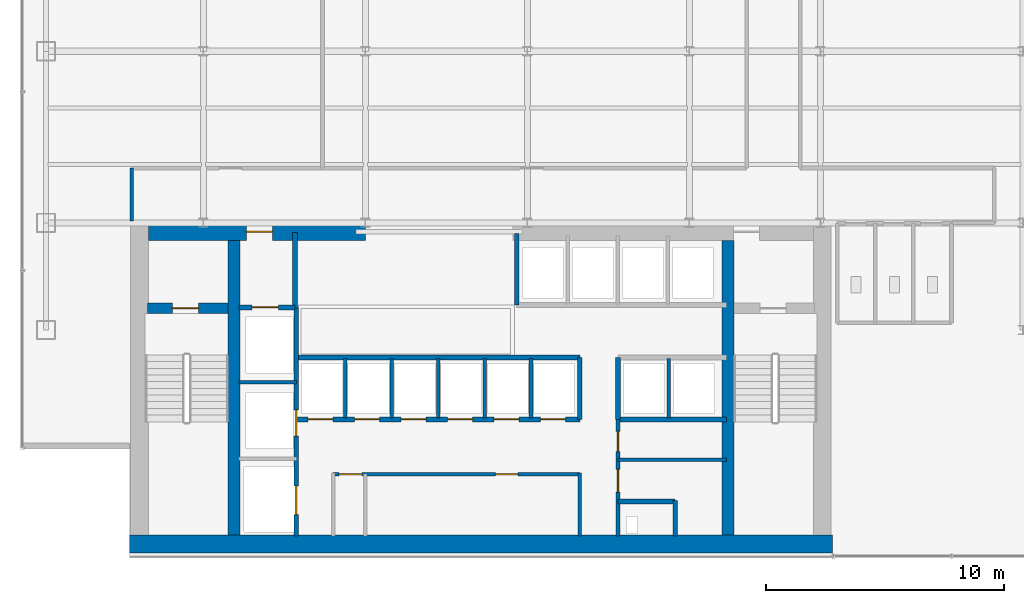
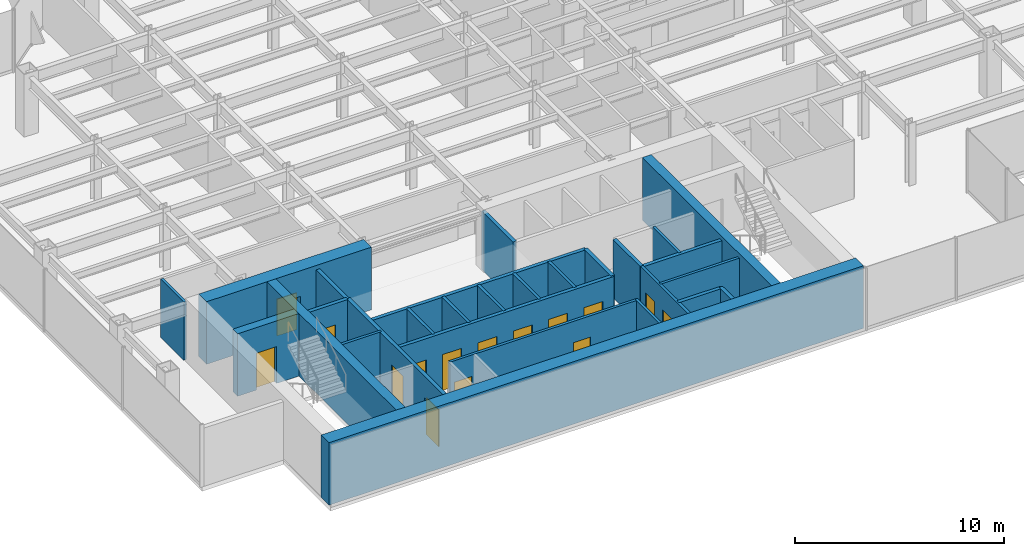
# One storey, part 21 of 26: 28 walls, 15 doors, 15 openings.
"""IFC4 building model written with IfcOpenShell, lengths in metres."""

from ifc_helpers import new_model, si_unit, derived_unit, direction, frame, frame_2d, origin, place, context, subcontext, project, spatial, rectangle, extrude, source, transform, mapped, material, layer, layer_set, type_object, element, fill, save


model = new_model("IFC4")

# Units and contexts
model_context = context("Model", 3, precision=1e-05, world=origin(), true_north=direction((0.0, 1.0)))
body_context = subcontext(model_context, "Body", "Model", "MODEL_VIEW")
ifc_project = project(units=[si_unit("LENGTHUNIT", "METRE"), si_unit("AREAUNIT", "SQUARE_METRE"), si_unit("VOLUMEUNIT", "CUBIC_METRE"), si_unit("PLANEANGLEUNIT", "RADIAN"), si_unit("MASSUNIT", "GRAM", prefix="KILO"), derived_unit("THERMALTRANSMITTANCEUNIT", [(si_unit("POWERUNIT", "WATT"), 1), (si_unit("LENGTHUNIT", "METRE"), -2), (si_unit("THERMODYNAMICTEMPERATUREUNIT", "KELVIN"), -1)])], contexts=[model_context])

# Site, building, storey
site_placement = place(None, origin())
site = spatial("IfcSite", under=ifc_project, at=site_placement, CompositionType="ELEMENT")
building_placement = place(site_placement, origin())
building = spatial("IfcBuilding", under=site, at=building_placement, Name="Skarnbrae Concourse Arena and Tower", CompositionType="ELEMENT")
storey_placement = place(building_placement, frame((0.0, 0.0, 117.85009765625)))
storey = spatial("IfcBuildingStorey", under=building, at=storey_placement, Name="L29", CompositionType="ELEMENT", Elevation=117.85009765625)

# Wall, opening, door
ifc_material_1 = material(Name="Concrete 50 MPa (C50/60)", Category="concrete")
ifc_layer_1 = layer(ifc_material_1, 0.449951171875)
ifc_layer_set_1 = layer_set([ifc_layer_1], Name="Concrete 50 MPa (C50/60)")
wall_type_1 = type_object("IfcWallType", Name="WALL-CORE-450-C50", PredefinedType="SHEAR", material=ifc_layer_set_1)
shared_shape_1 = source(origin(), body_context, "Body", "SweptSolid", [
    extrude(rectangle(XDim=3.389892578125, YDim=0.449951171875, at=frame_2d((1.69482421875, 0.0))), origin(), (0.0, 0.0, 1.0), 3.64990234375),
])
wall_1_placement = place(storey_placement, frame((5.25, 10.419921875, 0.0), z_axis=(0.0, 0.0, 1.0), x_axis=(1.0, 0.0, 0.0)))
wall_1 = element("IfcWall", 1, at=wall_1_placement, inside=storey, type_object=wall_type_1, Name="L29 Rear core shear wall CW-ST1-N", PredefinedType="SHEAR", context=body_context, shape_type="MappedRepresentation", body=[
    mapped(shared_shape_1, transform((0.0, 0.0, 0.0))),
])
opening_1_placement = place(wall_1_placement, frame((1.050048828125, 0.0, 0.0)))
opening_1 = element("IfcOpeningElement", 2, at=opening_1_placement, cuts=wall_1, Name="Opening DT-03", PredefinedType="OPENING", context=body_context, shape_type="SweptSolid", body=[
    extrude(rectangle(XDim=1.10009765625, YDim=2.14990234375, at=frame_2d((0.550048828125, 1.074951171875))), frame((0.0, 0.23486328125, 0.0), z_axis=(0.0, -1.0, 0.0), x_axis=(1.0, 0.0, 0.0)), (0.0, 0.0, 1.0), 0.469970703125),
])
ifc_material_2 = material(Name="Steel CSA G40.21 350W", Category="steel")
door_type_1 = type_object("IfcDoorType", Name="DOOR-FIRE-1100-90M", OperationType="NOTDEFINED", PredefinedType="DOOR", material=ifc_material_2)
shared_shape_2 = source(origin(), body_context, "Body", "SweptSolid", [
    extrude(rectangle(XDim=1.10009765625, YDim=2.14990234375, at=frame_2d((0.550048828125, 1.074951171875))), frame((0.0, 0.02490234375, 0.0), z_axis=(0.0, -1.0, 0.0), x_axis=(1.0, 0.0, 0.0)), (0.0, 0.0, 1.0), 0.050048828125),
])
door_1_placement = place(opening_1_placement, frame((1.10009765625, 0.0, 0.0), z_axis=(0.0, 0.0, 1.0), x_axis=(-1.0, 0.0, 0.0)))
door_1 = element("IfcDoor", 3, at=door_1_placement, inside=storey, type_object=door_type_1, Name="D-0947 Stair ST-1 Door", OperationType="SINGLE_SWING_LEFT", OverallHeight=2.14990234375, OverallWidth=1.10009765625, PredefinedType="DOOR", context=body_context, shape_type="MappedRepresentation", body=[
    mapped(shared_shape_2, transform((0.0, 0.0, 0.0))),
])
fill(opening_1, door_1)

# Wall
ifc_material_3 = material(Name="Concrete 60 MPa (C60/75)", Category="concrete")
ifc_layer_2 = layer(ifc_material_3, 0.75)
ifc_layer_set_2 = layer_set([ifc_layer_2], Name="Concrete 60 MPa (C60/75)")
wall_type_2 = type_object("IfcWallType", Name="WALL-CORE-750-C60", PredefinedType="SHEAR", material=ifc_layer_set_2)
shared_shape_3 = source(origin(), body_context, "Body", "SweptSolid", [
    extrude(rectangle(XDim=29.5, YDim=0.75, at=frame_2d((14.75, 0.0))), origin(), (0.0, 0.0, 1.0), 3.64990234375),
])
wall_2_placement = place(storey_placement, frame((4.5, 0.52490234375, 0.0), z_axis=(0.0, 0.0, 1.0), x_axis=(1.0, 0.0, 0.0)))
element("IfcWall", 4, at=wall_2_placement, inside=storey, type_object=wall_type_2, Name="L29 Rear core shear wall CW-S", PredefinedType="SHEAR", context=body_context, shape_type="MappedRepresentation", body=[
    mapped(shared_shape_3, transform((0.0, 0.0, 0.0))),
])

# Wall, opening, door
shared_shape_4 = source(origin(), body_context, "Body", "SweptSolid", [
    extrude(rectangle(XDim=9.099853515625, YDim=0.75, at=frame_2d((4.5498046875, 0.0))), origin(), (0.0, 0.0, 1.0), 3.64990234375),
])
wall_3_placement = place(storey_placement, frame((5.300048828125, 13.625, 0.0), z_axis=(0.0, 0.0, 1.0), x_axis=(1.0, 0.0, 0.0)))
wall_3 = element("IfcWall", 5, at=wall_3_placement, inside=storey, type_object=wall_type_2, Name="L29 Rear core shear wall CW-NW", PredefinedType="SHEAR", context=body_context, shape_type="MappedRepresentation", body=[
    mapped(shared_shape_4, transform((0.0, 0.0, 0.0))),
])
opening_2_placement = place(wall_3_placement, frame((4.10009765625, 0.0, 0.0)))
opening_2 = element("IfcOpeningElement", 6, at=opening_2_placement, cuts=wall_3, Name="Opening DT-03", PredefinedType="OPENING", context=body_context, shape_type="SweptSolid", body=[
    extrude(rectangle(XDim=1.10009765625, YDim=2.14990234375, at=frame_2d((0.550048828125, 1.074951171875))), frame((0.0, 0.385009765625, 0.0), z_axis=(0.0, -1.0, 0.0), x_axis=(1.0, 0.0, 0.0)), (0.0, 0.0, 1.0), 0.77001953125),
])
door_2_placement = place(opening_2_placement, origin())
door_2 = element("IfcDoor", 7, at=door_2_placement, inside=storey, type_object=door_type_1, Name="D-0949 Firefighting Lobby Exit Door", OperationType="SINGLE_SWING_RIGHT", OverallHeight=2.14990234375, OverallWidth=1.10009765625, PredefinedType="DOOR", context=body_context, shape_type="MappedRepresentation", body=[
    mapped(shared_shape_2, transform((0.0, 0.0, 0.0))),
])
fill(opening_2, door_2)

# Walls
ifc_layer_3 = layer(ifc_material_3, 0.5)
ifc_layer_set_3 = layer_set([ifc_layer_3], Name="Concrete 60 MPa (C60/75)")
wall_type_3 = type_object("IfcWallType", Name="WALL-CORE-500-C60", PredefinedType="SHEAR", material=ifc_layer_set_3)
shared_shape_5 = source(origin(), body_context, "Body", "SweptSolid", [
    extrude(rectangle(XDim=12.35009765625, YDim=0.5, at=frame_2d((6.175048828125, 0.0))), origin(), (0.0, 0.0, 1.0), 3.64990234375),
])
for number, where, z_axis, x_axis, name in (
    (8, (8.889892578125, 0.89990234375, 0.0), (0.0, 0.0, 1.0), (0.0, 1.0, 0.0), "L29 Rear core shear wall CW-WEB-W"),
    (9, (29.610107421875, 0.89990234375, 0.0), (0.0, 0.0, 1.0), (0.0, 1.0, 0.0), "L29 Rear core shear wall CW-WEB-E"),
):
    element("IfcWall", number, at=place(storey_placement, frame(where, z_axis=z_axis, x_axis=x_axis)), inside=storey, type_object=wall_type_3, Name=name, PredefinedType="SHEAR", context=body_context, shape_type="MappedRepresentation", body=[
        mapped(shared_shape_5, transform((0.0, 0.0, 0.0))),
    ])
ifc_material_4 = material(Name="Gypsum board on cold-formed steel studs", Category="steel")
ifc_layer_4 = layer(ifc_material_4, 0.199951171875)
ifc_layer_set_4 = layer_set([ifc_layer_4], Name="Gypsum board on cold-formed steel studs")
wall_type_4 = type_object("IfcWallType", Name="WALL-PART-200-2HR", PredefinedType="PARTITIONING", material=ifc_layer_set_4)
shared_shape_6 = source(origin(), body_context, "Body", "SweptSolid", [
    extrude(rectangle(XDim=3.18017578125, YDim=0.199951171875, at=frame_2d((1.590087890625, 0.0))), origin(), (0.0, 0.0, 1.0), 3.39990234375),
])
wall_4_placement = place(storey_placement, frame((11.449951171875, 10.419921875, 0.0), z_axis=(0.0, 0.0, 1.0), x_axis=(0.0, 1.0, 0.0)))
element("IfcWall", 10, at=wall_4_placement, inside=storey, type_object=wall_type_4, Name="L29 Interior partition wall W-L29-FFL-E", PredefinedType="PARTITIONING", context=body_context, shape_type="MappedRepresentation", body=[
    mapped(shared_shape_6, transform((0.0, 0.0, 0.0))),
])

# Wall, opening, door
shared_shape_7 = source(origin(), body_context, "Body", "SweptSolid", [
    extrude(rectangle(XDim=2.349853515625, YDim=0.199951171875, at=frame_2d((1.1748046875, 0.0))), origin(), (0.0, 0.0, 1.0), 3.39990234375),
])
wall_5_placement = place(storey_placement, frame((9.10009765625, 10.449951171875, 0.0), z_axis=(0.0, 0.0, 1.0), x_axis=(1.0, 0.0, 0.0)))
wall_5 = element("IfcWall", 11, at=wall_5_placement, inside=storey, type_object=wall_type_4, Name="L29 Interior partition wall W-L29-FL1-N", PredefinedType="PARTITIONING", context=body_context, shape_type="MappedRepresentation", body=[
    mapped(shared_shape_7, transform((0.0, 0.0, 0.0))),
])
opening_3_placement = place(wall_5_placement, frame((0.550048828125, 0.0, 0.0)))
opening_3 = element("IfcOpeningElement", 12, at=opening_3_placement, cuts=wall_5, Name="Opening LD-01", PredefinedType="OPENING", context=body_context, shape_type="SweptSolid", body=[
    extrude(rectangle(XDim=1.10009765625, YDim=2.14990234375, at=frame_2d((0.550048828125, 1.074951171875))), frame((0.0, 0.10986328125, 0.0), z_axis=(0.0, -1.0, 0.0), x_axis=(1.0, 0.0, 0.0)), (0.0, 0.0, 1.0), 0.219970703125),
])
door_type_2 = type_object("IfcDoorType", Name="DOOR-LIFT-SLIDE-1100", OperationType="SLIDING_TO_LEFT", PredefinedType="DOOR", material=ifc_material_2)
door_3_placement = place(opening_3_placement, origin())
door_3 = element("IfcDoor", 13, at=door_3_placement, inside=storey, type_object=door_type_2, Name="D-0951 Firefighting Lift Landing Door FL-01", OperationType="SLIDING_TO_LEFT", OverallHeight=2.14990234375, OverallWidth=1.10009765625, PredefinedType="DOOR", context=body_context, shape_type="MappedRepresentation", body=[
    mapped(shared_shape_2, transform((0.0, 0.0, 0.0))),
])
fill(opening_3, door_3)

# Wall, openings, doors
shared_shape_8 = source(origin(), body_context, "Body", "SweptSolid", [
    extrude(rectangle(XDim=9.599853515625, YDim=0.199951171875, at=frame_2d((4.7998046875, 0.0))), origin(), (0.0, 0.0, 1.0), 3.39990234375),
])
wall_6_placement = place(storey_placement, frame((11.5, 0.85009765625, 0.0), z_axis=(0.0, 0.0, 1.0), x_axis=(0.0, 1.0, 0.0)))
wall_6 = element("IfcWall", 14, at=wall_6_placement, inside=storey, type_object=wall_type_4, Name="L29 Interior partition wall W-L29-FL-E", PredefinedType="PARTITIONING", context=body_context, shape_type="MappedRepresentation", body=[
    mapped(shared_shape_8, transform((0.0, 0.0, 0.0))),
])
opening_4_placement = place(wall_6_placement, frame((4.199951171875, 0.0, 0.0)))
opening_4 = element("IfcOpeningElement", 15, at=opening_4_placement, cuts=wall_6, Name="Opening LD-01", PredefinedType="OPENING", context=body_context, shape_type="SweptSolid", body=[
    extrude(rectangle(XDim=1.10009765625, YDim=2.14990234375, at=frame_2d((0.550048828125, 1.074951171875))), frame((0.0, 0.10986328125, 0.0), z_axis=(0.0, -1.0, 0.0), x_axis=(1.0, 0.0, 0.0)), (0.0, 0.0, 1.0), 0.219970703125),
])
opening_5_placement = place(wall_6_placement, frame((0.89990234375, 0.0, 0.0)))
opening_5 = element("IfcOpeningElement", 16, at=opening_5_placement, cuts=wall_6, Name="Opening LD-02", PredefinedType="OPENING", context=body_context, shape_type="SweptSolid", body=[
    extrude(rectangle(XDim=1.199951171875, YDim=2.14990234375, at=frame_2d((0.60009765625, 1.074951171875))), frame((0.0, 0.10986328125, 0.0), z_axis=(0.0, -1.0, 0.0), x_axis=(1.0, 0.0, 0.0)), (0.0, 0.0, 1.0), 0.219970703125),
])
door_4_placement = place(opening_4_placement, frame((1.10009765625, 0.0, 0.0), z_axis=(0.0, 0.0, 1.0), x_axis=(-1.0, 0.0, 0.0)))
door_4 = element("IfcDoor", 17, at=door_4_placement, inside=storey, type_object=door_type_2, Name="D-0952 Firefighting Lift Landing Door FL-02", OperationType="SLIDING_TO_LEFT", OverallHeight=2.14990234375, OverallWidth=1.10009765625, PredefinedType="DOOR", context=body_context, shape_type="MappedRepresentation", body=[
    mapped(shared_shape_2, transform((0.0, 0.0, 0.0))),
])
fill(opening_4, door_4)
door_type_3 = type_object("IfcDoorType", Name="DOOR-LIFT-SLIDE-1200", OperationType="SLIDING_TO_LEFT", PredefinedType="DOOR", material=ifc_material_2)
shared_shape_9 = source(origin(), body_context, "Body", "SweptSolid", [
    extrude(rectangle(XDim=1.199951171875, YDim=2.14990234375, at=frame_2d((0.60009765625, 1.074951171875))), frame((0.0, 0.02490234375, 0.0), z_axis=(0.0, -1.0, 0.0), x_axis=(1.0, 0.0, 0.0)), (0.0, 0.0, 1.0), 0.050048828125),
])
door_5_placement = place(opening_5_placement, frame((1.199951171875, 0.0, 0.0), z_axis=(0.0, 0.0, 1.0), x_axis=(-1.0, 0.0, 0.0)))
door_5 = element("IfcDoor", 18, at=door_5_placement, inside=storey, type_object=door_type_3, Name="D-0953 Service Lift Landing Door SV-01", OperationType="SLIDING_TO_LEFT", OverallHeight=2.14990234375, OverallWidth=1.199951171875, PredefinedType="DOOR", context=body_context, shape_type="MappedRepresentation", body=[
    mapped(shared_shape_9, transform((0.0, 0.0, 0.0))),
])
fill(opening_5, door_5)

# Wall
ifc_layer_5 = layer(ifc_material_4, 0.14990234375)
ifc_layer_set_5 = layer_set([ifc_layer_5], Name="Gypsum board on cold-formed steel studs")
wall_type_5 = type_object("IfcWallType", Name="WALL-PART-150", PredefinedType="PARTITIONING", material=ifc_layer_set_5)
shared_shape_10 = source(origin(), body_context, "Body", "SweptSolid", [
    extrude(rectangle(XDim=2.39990234375, YDim=0.14990234375, at=frame_2d((1.199951171875, 0.0))), origin(), (0.0, 0.0, 1.0), 3.39990234375),
])
wall_7_placement = place(storey_placement, frame((9.10009765625, 7.300048828125, 0.0), z_axis=(0.0, 0.0, 1.0), x_axis=(1.0, 0.0, 0.0)))
element("IfcWall", 19, at=wall_7_placement, inside=storey, type_object=wall_type_5, Name="L29 Interior partition wall W-L29-FL-D2", PredefinedType="PARTITIONING", context=body_context, shape_type="MappedRepresentation", body=[
    mapped(shared_shape_10, transform((0.0, 0.0, 0.0))),
])

# Wall, openings, doors
shared_shape_11 = source(origin(), body_context, "Body", "SweptSolid", [
    extrude(rectangle(XDim=11.849853515625, YDim=0.199951171875, at=frame_2d((5.9248046875, 0.0))), origin(), (0.0, 0.0, 1.0), 3.39990234375),
])
wall_8_placement = place(storey_placement, frame((11.550048828125, 5.75, 0.0), z_axis=(0.0, 0.0, 1.0), x_axis=(1.0, 0.0, 0.0)))
wall_8 = element("IfcWall", 20, at=wall_8_placement, inside=storey, type_object=wall_type_4, Name="L29 Interior partition wall W-L29-B2-S", PredefinedType="PARTITIONING", context=body_context, shape_type="MappedRepresentation", body=[
    mapped(shared_shape_11, transform((0.0, 0.0, 0.0))),
])
opening_6_placement = place(wall_8_placement, frame((0.449951171875, 0.0, 0.0)))
opening_6 = element("IfcOpeningElement", 21, at=opening_6_placement, cuts=wall_8, Name="Opening LD-03", PredefinedType="OPENING", context=body_context, shape_type="SweptSolid", body=[
    extrude(rectangle(XDim=1.050048828125, YDim=2.14990234375, at=frame_2d((0.52490234375, 1.074951171875))), frame((0.0, 0.10986328125, 0.0), z_axis=(0.0, -1.0, 0.0), x_axis=(1.0, 0.0, 0.0)), (0.0, 0.0, 1.0), 0.219970703125),
])
opening_7_placement = place(wall_8_placement, frame((2.39990234375, 0.0, 0.0)))
opening_7 = element("IfcOpeningElement", 22, at=opening_7_placement, cuts=wall_8, Name="Opening LD-03", PredefinedType="OPENING", context=body_context, shape_type="SweptSolid", body=[
    extrude(rectangle(XDim=1.050048828125, YDim=2.14990234375, at=frame_2d((0.52490234375, 1.074951171875))), frame((0.0, 0.10986328125, 0.0), z_axis=(0.0, -1.0, 0.0), x_axis=(1.0, 0.0, 0.0)), (0.0, 0.0, 1.0), 0.219970703125),
])
opening_8_placement = place(wall_8_placement, frame((4.35009765625, 0.0, 0.0)))
opening_8 = element("IfcOpeningElement", 23, at=opening_8_placement, cuts=wall_8, Name="Opening LD-03", PredefinedType="OPENING", context=body_context, shape_type="SweptSolid", body=[
    extrude(rectangle(XDim=1.050048828125, YDim=2.14990234375, at=frame_2d((0.52490234375, 1.074951171875))), frame((0.0, 0.10986328125, 0.0), z_axis=(0.0, -1.0, 0.0), x_axis=(1.0, 0.0, 0.0)), (0.0, 0.0, 1.0), 0.219970703125),
])
opening_9_placement = place(wall_8_placement, frame((6.300048828125, 0.0, 0.0)))
opening_9 = element("IfcOpeningElement", 24, at=opening_9_placement, cuts=wall_8, Name="Opening LD-03", PredefinedType="OPENING", context=body_context, shape_type="SweptSolid", body=[
    extrude(rectangle(XDim=1.050048828125, YDim=2.14990234375, at=frame_2d((0.52490234375, 1.074951171875))), frame((0.0, 0.10986328125, 0.0), z_axis=(0.0, -1.0, 0.0), x_axis=(1.0, 0.0, 0.0)), (0.0, 0.0, 1.0), 0.219970703125),
])
opening_10_placement = place(wall_8_placement, frame((8.25, 0.0, 0.0)))
opening_10 = element("IfcOpeningElement", 25, at=opening_10_placement, cuts=wall_8, Name="Opening LD-03", PredefinedType="OPENING", context=body_context, shape_type="SweptSolid", body=[
    extrude(rectangle(XDim=1.050048828125, YDim=2.14990234375, at=frame_2d((0.52490234375, 1.074951171875))), frame((0.0, 0.10986328125, 0.0), z_axis=(0.0, -1.0, 0.0), x_axis=(1.0, 0.0, 0.0)), (0.0, 0.0, 1.0), 0.219970703125),
])
opening_11_placement = place(wall_8_placement, frame((10.199951171875, 0.0, 0.0)))
opening_11 = element("IfcOpeningElement", 26, at=opening_11_placement, cuts=wall_8, Name="Opening LD-03", PredefinedType="OPENING", context=body_context, shape_type="SweptSolid", body=[
    extrude(rectangle(XDim=1.050048828125, YDim=2.14990234375, at=frame_2d((0.52490234375, 1.074951171875))), frame((0.0, 0.10986328125, 0.0), z_axis=(0.0, -1.0, 0.0), x_axis=(1.0, 0.0, 0.0)), (0.0, 0.0, 1.0), 0.219970703125),
])
ifc_material_5 = material(Name="Bronze anodised aluminium 6063-T6", Category="aluminium")
door_type_4 = type_object("IfcDoorType", Name="DOOR-LIFT-SLIDE-1050", OperationType="SLIDING_TO_LEFT", PredefinedType="DOOR", material=ifc_material_5)
shared_shape_12 = source(origin(), body_context, "Body", "SweptSolid", [
    extrude(rectangle(XDim=1.050048828125, YDim=2.14990234375, at=frame_2d((0.52490234375, 1.074951171875))), frame((0.0, 0.02490234375, 0.0), z_axis=(0.0, -1.0, 0.0), x_axis=(1.0, 0.0, 0.0)), (0.0, 0.0, 1.0), 0.050048828125),
])
door_6_placement = place(opening_6_placement, frame((1.050048828125, 0.0, 0.0), z_axis=(0.0, 0.0, 1.0), x_axis=(-1.0, 0.0, 0.0)))
door_6 = element("IfcDoor", 27, at=door_6_placement, inside=storey, type_object=door_type_4, Name="D-0956 Passenger Lift Landing Door PL-2A", OperationType="SLIDING_TO_LEFT", OverallHeight=2.14990234375, OverallWidth=1.050048828125, PredefinedType="DOOR", context=body_context, shape_type="MappedRepresentation", body=[
    mapped(shared_shape_12, transform((0.0, 0.0, 0.0))),
])
fill(opening_6, door_6)
door_7_placement = place(opening_7_placement, frame((1.050048828125, 0.0, 0.0), z_axis=(0.0, 0.0, 1.0), x_axis=(-1.0, 0.0, 0.0)))
door_7 = element("IfcDoor", 28, at=door_7_placement, inside=storey, type_object=door_type_4, Name="D-0957 Passenger Lift Landing Door PL-2B", OperationType="SLIDING_TO_LEFT", OverallHeight=2.14990234375, OverallWidth=1.050048828125, PredefinedType="DOOR", context=body_context, shape_type="MappedRepresentation", body=[
    mapped(shared_shape_12, transform((0.0, 0.0, 0.0))),
])
fill(opening_7, door_7)
door_8_placement = place(opening_8_placement, frame((1.050048828125, 0.0, 0.0), z_axis=(0.0, 0.0, 1.0), x_axis=(-1.0, 0.0, 0.0)))
door_8 = element("IfcDoor", 29, at=door_8_placement, inside=storey, type_object=door_type_4, Name="D-0958 Passenger Lift Landing Door PL-2C", OperationType="SLIDING_TO_LEFT", OverallHeight=2.14990234375, OverallWidth=1.050048828125, PredefinedType="DOOR", context=body_context, shape_type="MappedRepresentation", body=[
    mapped(shared_shape_12, transform((0.0, 0.0, 0.0))),
])
fill(opening_8, door_8)
door_9_placement = place(opening_9_placement, frame((1.050048828125, 0.0, 0.0), z_axis=(0.0, 0.0, 1.0), x_axis=(-1.0, 0.0, 0.0)))
door_9 = element("IfcDoor", 30, at=door_9_placement, inside=storey, type_object=door_type_4, Name="D-0959 Passenger Lift Landing Door PL-2D", OperationType="SLIDING_TO_LEFT", OverallHeight=2.14990234375, OverallWidth=1.050048828125, PredefinedType="DOOR", context=body_context, shape_type="MappedRepresentation", body=[
    mapped(shared_shape_12, transform((0.0, 0.0, 0.0))),
])
fill(opening_9, door_9)
door_10_placement = place(opening_10_placement, frame((1.050048828125, 0.0, 0.0), z_axis=(0.0, 0.0, 1.0), x_axis=(-1.0, 0.0, 0.0)))
door_10 = element("IfcDoor", 31, at=door_10_placement, inside=storey, type_object=door_type_4, Name="D-0960 Passenger Lift Landing Door PL-2E", OperationType="SLIDING_TO_LEFT", OverallHeight=2.14990234375, OverallWidth=1.050048828125, PredefinedType="DOOR", context=body_context, shape_type="MappedRepresentation", body=[
    mapped(shared_shape_12, transform((0.0, 0.0, 0.0))),
])
fill(opening_10, door_10)
door_11_placement = place(opening_11_placement, frame((1.050048828125, 0.0, 0.0), z_axis=(0.0, 0.0, 1.0), x_axis=(-1.0, 0.0, 0.0)))
door_11 = element("IfcDoor", 32, at=door_11_placement, inside=storey, type_object=door_type_4, Name="D-0961 Passenger Lift Landing Door PL-2F", OperationType="SLIDING_TO_LEFT", OverallHeight=2.14990234375, OverallWidth=1.050048828125, PredefinedType="DOOR", context=body_context, shape_type="MappedRepresentation", body=[
    mapped(shared_shape_12, transform((0.0, 0.0, 0.0))),
])
fill(opening_11, door_11)

# Walls
wall_9_placement = place(storey_placement, frame((11.550048828125, 8.35009765625, 0.0), z_axis=(0.0, 0.0, 1.0), x_axis=(1.0, 0.0, 0.0)))
element("IfcWall", 33, at=wall_9_placement, inside=storey, type_object=wall_type_4, Name="L29 Interior partition wall W-L29-B2-N", PredefinedType="PARTITIONING", context=body_context, shape_type="MappedRepresentation", body=[
    mapped(shared_shape_11, transform((0.0, 0.0, 0.0))),
])
shared_shape_13 = source(origin(), body_context, "Body", "SweptSolid", [
    extrude(rectangle(XDim=2.60009765625, YDim=0.199951171875, at=frame_2d((1.300048828125, 0.0))), origin(), (0.0, 0.0, 1.0), 3.39990234375),
])
for number, where, z_axis, x_axis, name in (
    (34, (23.39990234375, 5.75, 0.0), (0.0, 0.0, 1.0), (0.0, 1.0, 0.0), "L29 Interior partition wall W-L29-B2-E"),
    (35, (25.0, 5.75, 0.0), (0.0, 0.0, 1.0), (0.0, 1.0, 0.0), "L29 Interior partition wall W-L29-B3S-W"),
):
    element("IfcWall", number, at=place(storey_placement, frame(where, z_axis=z_axis, x_axis=x_axis)), inside=storey, type_object=wall_type_4, Name=name, PredefinedType="PARTITIONING", context=body_context, shape_type="MappedRepresentation", body=[
        mapped(shared_shape_13, transform((0.0, 0.0, 0.0))),
    ])
shared_shape_14 = source(origin(), body_context, "Body", "SweptSolid", [
    extrude(rectangle(XDim=2.5, YDim=0.14990234375, at=frame_2d((1.25, 0.0))), origin(), (0.0, 0.0, 1.0), 3.39990234375),
])
for number, where, z_axis, x_axis, name in (
    (36, (13.550048828125, 5.800048828125, 0.0), (0.0, 0.0, 1.0), (0.0, 1.0, 0.0), "L29 Interior partition wall W-L29-B2-P1"),
    (37, (15.5, 5.800048828125, 0.0), (0.0, 0.0, 1.0), (0.0, 1.0, 0.0), "L29 Interior partition wall W-L29-B2-P2"),
    (38, (17.449951171875, 5.800048828125, 0.0), (0.0, 0.0, 1.0), (0.0, 1.0, 0.0), "L29 Interior partition wall W-L29-B2-P3"),
    (39, (19.39990234375, 5.800048828125, 0.0), (0.0, 0.0, 1.0), (0.0, 1.0, 0.0), "L29 Interior partition wall W-L29-B2-P4"),
    (40, (21.35009765625, 5.800048828125, 0.0), (0.0, 0.0, 1.0), (0.0, 1.0, 0.0), "L29 Interior partition wall W-L29-B2-P5"),
    (41, (27.139892578125, 5.800048828125, 0.0), (0.0, 0.0, 1.0), (0.0, 1.0, 0.0), "L29 Interior partition wall W-L29-B3S-P1"),
):
    element("IfcWall", number, at=place(storey_placement, frame(where, z_axis=z_axis, x_axis=x_axis)), inside=storey, type_object=wall_type_5, Name=name, PredefinedType="PARTITIONING", context=body_context, shape_type="MappedRepresentation", body=[
        mapped(shared_shape_14, transform((0.0, 0.0, 0.0))),
    ])
shared_shape_15 = source(origin(), body_context, "Body", "SweptSolid", [
    extrude(rectangle(XDim=3.0, YDim=0.199951171875, at=frame_2d((1.5, 0.0))), origin(), (0.0, 0.0, 1.0), 3.39990234375),
])
wall_10_placement = place(storey_placement, frame((20.75, 10.550048828125, 0.0), z_axis=(0.0, 0.0, 1.0), x_axis=(0.0, 1.0, 0.0)))
element("IfcWall", 42, at=wall_10_placement, inside=storey, type_object=wall_type_4, Name="L29 Interior partition wall W-L29-B3N-W", PredefinedType="PARTITIONING", context=body_context, shape_type="MappedRepresentation", body=[
    mapped(shared_shape_15, transform((0.0, 0.0, 0.0))),
])
shared_shape_16 = source(origin(), body_context, "Body", "SweptSolid", [
    extrude(rectangle(XDim=4.550048828125, YDim=0.199951171875, at=frame_2d((2.27490234375, 0.0))), origin(), (0.0, 0.0, 1.0), 3.39990234375),
])
wall_11_placement = place(storey_placement, frame((25.0, 5.75, 0.0), z_axis=(0.0, 0.0, 1.0), x_axis=(1.0, 0.0, 0.0)))
element("IfcWall", 43, at=wall_11_placement, inside=storey, type_object=wall_type_4, Name="L29 Interior partition wall W-L29-B3S-S", PredefinedType="PARTITIONING", context=body_context, shape_type="MappedRepresentation", body=[
    mapped(shared_shape_16, transform((0.0, 0.0, 0.0))),
])

# Wall, openings, doors
ifc_layer_6 = layer(ifc_material_4, 0.14990234375)
ifc_layer_set_6 = layer_set([ifc_layer_6], Name="Gypsum board on cold-formed steel studs")
wall_type_6 = type_object("IfcWallType", Name="WALL-PART-150-1HR", PredefinedType="PARTITIONING", material=ifc_layer_set_6)
shared_shape_17 = source(origin(), body_context, "Body", "SweptSolid", [
    extrude(rectangle(XDim=4.89990234375, YDim=0.14990234375, at=frame_2d((2.449951171875, 0.0))), origin(), (0.0, 0.0, 1.0), 3.39990234375),
])
wall_12_placement = place(storey_placement, frame((25.0, 0.85009765625, 0.0), z_axis=(0.0, 0.0, 1.0), x_axis=(0.0, 1.0, 0.0)))
wall_12 = element("IfcWall", 44, at=wall_12_placement, inside=storey, type_object=wall_type_6, Name="L29 Interior partition wall W-L29-CSV-W", PredefinedType="PARTITIONING", context=body_context, shape_type="MappedRepresentation", body=[
    mapped(shared_shape_17, transform((0.0, 0.0, 0.0))),
])
opening_12_placement = place(wall_12_placement, frame((1.85009765625, 0.0, 0.0)))
opening_12 = element("IfcOpeningElement", 45, at=opening_12_placement, cuts=wall_12, Name="Opening DT-04", PredefinedType="OPENING", context=body_context, shape_type="SweptSolid", body=[
    extrude(rectangle(XDim=0.949951171875, YDim=2.14990234375, at=frame_2d((0.47509765625, 1.074951171875))), frame((0.0, 0.0849609375, 0.0), z_axis=(0.0, -1.0, 0.0), x_axis=(1.0, 0.0, 0.0)), (0.0, 0.0, 1.0), 0.169921875),
])
opening_13_placement = place(wall_12_placement, frame((3.550048828125, 0.0, 0.0)))
opening_13 = element("IfcOpeningElement", 46, at=opening_13_placement, cuts=wall_12, Name="Opening DT-08", PredefinedType="OPENING", context=body_context, shape_type="SweptSolid", body=[
    extrude(rectangle(XDim=0.85009765625, YDim=2.14990234375, at=frame_2d((0.425048828125, 1.074951171875))), frame((0.0, 0.0849609375, 0.0), z_axis=(0.0, -1.0, 0.0), x_axis=(1.0, 0.0, 0.0)), (0.0, 0.0, 1.0), 0.169921875),
])
door_type_5 = type_object("IfcDoorType", Name="DOOR-INT-950-45M", OperationType="NOTDEFINED", PredefinedType="DOOR", material=ifc_material_2)
shared_shape_18 = source(origin(), body_context, "Body", "SweptSolid", [
    extrude(rectangle(XDim=0.949951171875, YDim=2.14990234375, at=frame_2d((0.47509765625, 1.074951171875))), frame((0.0, 0.02490234375, 0.0), z_axis=(0.0, -1.0, 0.0), x_axis=(1.0, 0.0, 0.0)), (0.0, 0.0, 1.0), 0.050048828125),
])
door_12_placement = place(opening_12_placement, origin())
door_12 = element("IfcDoor", 47, at=door_12_placement, inside=storey, type_object=door_type_5, Name="D-0962 Core Staff WC Door", OperationType="SINGLE_SWING_RIGHT", OverallHeight=2.14990234375, OverallWidth=0.949951171875, PredefinedType="DOOR", context=body_context, shape_type="MappedRepresentation", body=[
    mapped(shared_shape_18, transform((0.0, 0.0, 0.0))),
])
fill(opening_12, door_12)
door_type_6 = type_object("IfcDoorType", Name="DOOR-INT-850-45M", OperationType="NOTDEFINED", PredefinedType="DOOR", material=ifc_material_2)
shared_shape_19 = source(origin(), body_context, "Body", "SweptSolid", [
    extrude(rectangle(XDim=0.85009765625, YDim=2.14990234375, at=frame_2d((0.425048828125, 1.074951171875))), frame((0.0, 0.02490234375, 0.0), z_axis=(0.0, -1.0, 0.0), x_axis=(1.0, 0.0, 0.0)), (0.0, 0.0, 1.0), 0.050048828125),
])
door_13_placement = place(opening_13_placement, origin())
door_13 = element("IfcDoor", 48, at=door_13_placement, inside=storey, type_object=door_type_6, Name="D-0963 IT Patch Room Door", OperationType="SINGLE_SWING_LEFT", OverallHeight=2.14990234375, OverallWidth=0.85009765625, PredefinedType="DOOR", context=body_context, shape_type="MappedRepresentation", body=[
    mapped(shared_shape_19, transform((0.0, 0.0, 0.0))),
])
fill(opening_13, door_13)

# Walls
shared_shape_20 = source(origin(), body_context, "Body", "SweptSolid", [
    extrude(rectangle(XDim=2.39990234375, YDim=0.199951171875, at=frame_2d((1.199951171875, 0.0))), origin(), (0.0, 0.0, 1.0), 3.39990234375),
])
wall_13_placement = place(storey_placement, frame((25.0, 2.300048828125, 0.0), z_axis=(0.0, 0.0, 1.0), x_axis=(1.0, 0.0, 0.0)))
element("IfcWall", 49, at=wall_13_placement, inside=storey, type_object=wall_type_4, Name="L29 Interior partition wall W-L29-MEP-N", PredefinedType="PARTITIONING", context=body_context, shape_type="MappedRepresentation", body=[
    mapped(shared_shape_20, transform((0.0, 0.0, 0.0))),
])
shared_shape_21 = source(origin(), body_context, "Body", "SweptSolid", [
    extrude(rectangle(XDim=1.5, YDim=0.199951171875, at=frame_2d((0.75, 0.0))), origin(), (0.0, 0.0, 1.0), 3.39990234375),
])
wall_14_placement = place(storey_placement, frame((27.39990234375, 0.85009765625, 0.0), z_axis=(0.0, 0.0, 1.0), x_axis=(0.0, 1.0, 0.0)))
element("IfcWall", 50, at=wall_14_placement, inside=storey, type_object=wall_type_4, Name="L29 Interior partition wall W-L29-MEP-E", PredefinedType="PARTITIONING", context=body_context, shape_type="MappedRepresentation", body=[
    mapped(shared_shape_21, transform((0.0, 0.0, 0.0))),
])
shared_shape_22 = source(origin(), body_context, "Body", "SweptSolid", [
    extrude(rectangle(XDim=4.550048828125, YDim=0.14990234375, at=frame_2d((2.27490234375, 0.0))), origin(), (0.0, 0.0, 1.0), 3.39990234375),
])
wall_15_placement = place(storey_placement, frame((25.0, 4.050048828125, 0.0), z_axis=(0.0, 0.0, 1.0), x_axis=(1.0, 0.0, 0.0)))
element("IfcWall", 51, at=wall_15_placement, inside=storey, type_object=wall_type_5, Name="L29 Interior partition wall W-L29-CSV-H2", PredefinedType="PARTITIONING", context=body_context, shape_type="MappedRepresentation", body=[
    mapped(shared_shape_22, transform((0.0, 0.0, 0.0))),
])
shared_shape_23 = source(origin(), body_context, "Body", "SweptSolid", [
    extrude(rectangle(XDim=2.64990234375, YDim=0.14990234375, at=frame_2d((1.324951171875, 0.0))), origin(), (0.0, 0.0, 1.0), 3.39990234375),
])
wall_16_placement = place(storey_placement, frame((23.39990234375, 0.85009765625, 0.0), z_axis=(0.0, 0.0, 1.0), x_axis=(0.0, 1.0, 0.0)))
element("IfcWall", 52, at=wall_16_placement, inside=storey, type_object=wall_type_6, Name="L29 Interior partition wall W-L29-B1M-E", PredefinedType="PARTITIONING", context=body_context, shape_type="MappedRepresentation", body=[
    mapped(shared_shape_23, transform((0.0, 0.0, 0.0))),
])

# Wall, openings, doors
shared_shape_24 = source(origin(), body_context, "Body", "SweptSolid", [
    extrude(rectangle(XDim=10.349853515625, YDim=0.14990234375, at=frame_2d((5.1748046875, 0.0))), origin(), (0.0, 0.0, 1.0), 3.39990234375),
])
wall_17_placement = place(storey_placement, frame((13.050048828125, 3.449951171875, 0.0), z_axis=(0.0, 0.0, 1.0), x_axis=(1.0, 0.0, 0.0)))
wall_17 = element("IfcWall", 53, at=wall_17_placement, inside=storey, type_object=wall_type_6, Name="L29 Interior partition wall W-L29-B1M-N", PredefinedType="PARTITIONING", context=body_context, shape_type="MappedRepresentation", body=[
    mapped(shared_shape_24, transform((0.0, 0.0, 0.0))),
])
opening_14_placement = place(wall_17_placement, frame((0.25, 0.0, 0.0)))
opening_14 = element("IfcOpeningElement", 54, at=opening_14_placement, cuts=wall_17, Name="Opening DT-04", PredefinedType="OPENING", context=body_context, shape_type="SweptSolid", body=[
    extrude(rectangle(XDim=0.949951171875, YDim=2.14990234375, at=frame_2d((0.47509765625, 1.074951171875))), frame((0.0, 0.0849609375, 0.0), z_axis=(0.0, -1.0, 0.0), x_axis=(1.0, 0.0, 0.0)), (0.0, 0.0, 1.0), 0.169921875),
])
opening_15_placement = place(wall_17_placement, frame((6.800048828125, 0.0, 0.0)))
opening_15 = element("IfcOpeningElement", 55, at=opening_15_placement, cuts=wall_17, Name="Opening DT-04", PredefinedType="OPENING", context=body_context, shape_type="SweptSolid", body=[
    extrude(rectangle(XDim=0.949951171875, YDim=2.14990234375, at=frame_2d((0.47509765625, 1.074951171875))), frame((0.0, 0.0849609375, 0.0), z_axis=(0.0, -1.0, 0.0), x_axis=(1.0, 0.0, 0.0)), (0.0, 0.0, 1.0), 0.169921875),
])
door_14_placement = place(opening_14_placement, origin())
door_14 = element("IfcDoor", 56, at=door_14_placement, inside=storey, type_object=door_type_5, Name="D-0954 First Aid Room Door", OperationType="SINGLE_SWING_LEFT", OverallHeight=2.14990234375, OverallWidth=0.949951171875, PredefinedType="DOOR", context=body_context, shape_type="MappedRepresentation", body=[
    mapped(shared_shape_18, transform((0.0, 0.0, 0.0))),
])
fill(opening_14, door_14)
door_15_placement = place(opening_15_placement, origin())
door_15 = element("IfcDoor", 57, at=door_15_placement, inside=storey, type_object=door_type_5, Name="D-0955 Archive Room Door", OperationType="SINGLE_SWING_RIGHT", OverallHeight=2.14990234375, OverallWidth=0.949951171875, PredefinedType="DOOR", context=body_context, shape_type="MappedRepresentation", body=[
    mapped(shared_shape_18, transform((0.0, 0.0, 0.0))),
])
fill(opening_15, door_15)

# Wall
shared_shape_25 = source(origin(), body_context, "Body", "SweptSolid", [
    extrude(rectangle(XDim=2.219970703125, YDim=0.14990234375, at=frame_2d((1.10986328125, 0.0))), origin(), (0.0, 0.0, 1.0), 3.39990234375),
])
wall_18_placement = place(storey_placement, frame((4.60009765625, 14.080078125, 0.0), z_axis=(0.0, 0.0, 1.0), x_axis=(0.0, 1.0, 0.0)))
element("IfcWall", 58, at=wall_18_placement, inside=storey, type_object=wall_type_6, Name="L29 Interior partition wall W-L29-COR-01", PredefinedType="PARTITIONING", context=body_context, shape_type="MappedRepresentation", body=[
    mapped(shared_shape_25, transform((0.0, 0.0, 0.0))),
])

save(model, "model.ifc")
